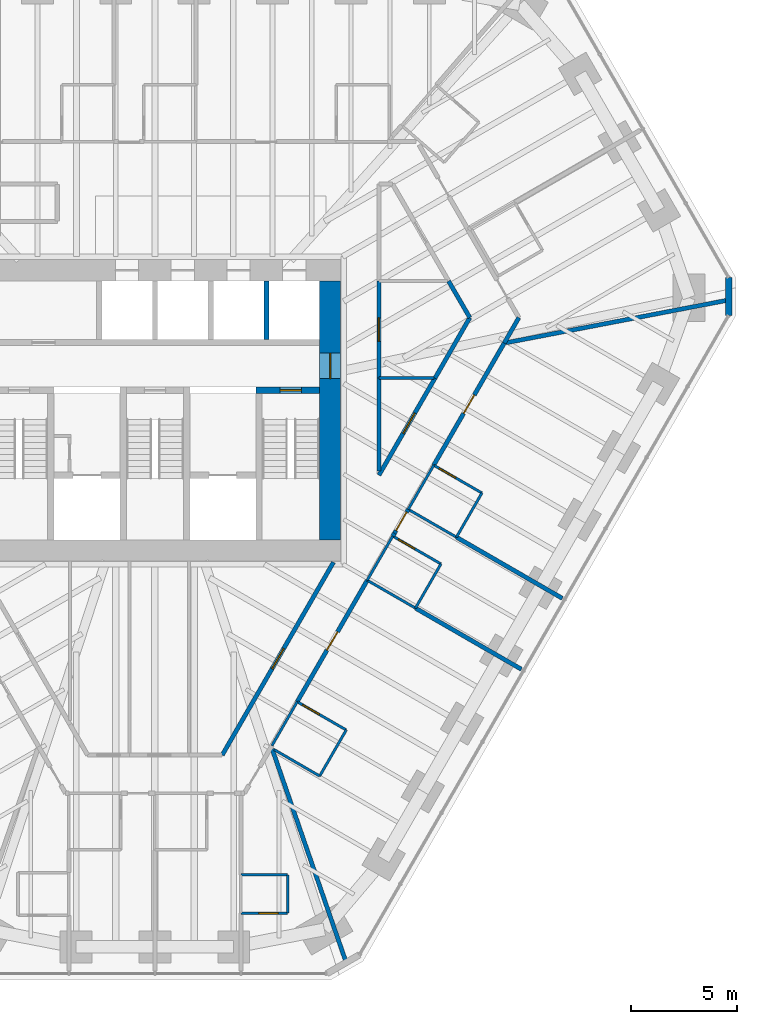
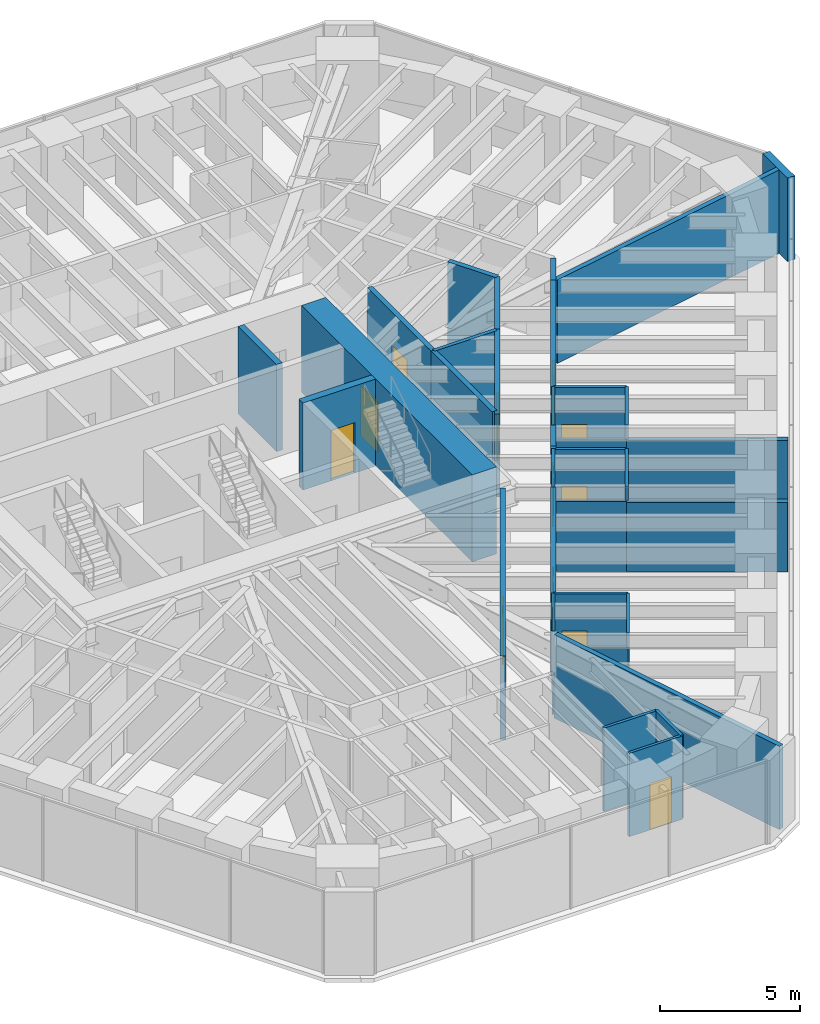
# One storey, part 13 of 16: 35 walls, 12 doors, 12 openings.
"""IFC4 building model written with IfcOpenShell, lengths in metres."""

from ifc_helpers import new_model, si_unit, direction, frame, frame_2d, origin, place, context, subcontext, project, spatial, rectangle, extrude, material, layer, layer_set, type_object, element, fill, save


model = new_model("IFC4")

# Units and contexts
model_context = context("Model", 3, precision=1e-05, world=origin(), true_north=direction((0.0, 1.0)))
body_context = subcontext(model_context, "Body", "Model", "MODEL_VIEW")
ifc_project = project(units=[si_unit("LENGTHUNIT", "METRE"), si_unit("AREAUNIT", "SQUARE_METRE"), si_unit("VOLUMEUNIT", "CUBIC_METRE"), si_unit("PLANEANGLEUNIT", "RADIAN"), si_unit("MASSUNIT", "GRAM", prefix="KILO")], contexts=[model_context])

# Site, building, storey
site_placement = place(None, origin())
site = spatial("IfcSite", under=ifc_project, at=site_placement, CompositionType="ELEMENT")
building_placement = place(site_placement, origin())
building = spatial("IfcBuilding", under=site, at=building_placement, Name="Sandreach Pilgrim Tower", CompositionType="ELEMENT")
storey_placement = place(building_placement, frame((0.0, 0.0, 190.800048828125)))
storey = spatial("IfcBuildingStorey", under=building, at=storey_placement, Name="L47", CompositionType="ELEMENT", Elevation=190.800048828125)

# Wall
ifc_material_1 = material(Name="Gypsum board on steel studs", Category="steel")
ifc_layer_1 = layer(ifc_material_1, 0.14990234375)
ifc_layer_set_1 = layer_set([ifc_layer_1], Name="Back of house wall 150")
wall_type_1 = type_object("IfcWallType", Name="Back of house wall 150", PredefinedType="PARTITIONING", material=ifc_layer_set_1)
wall_1_placement = place(storey_placement, frame((10.550048828125, 1.52001953125, 0.0), z_axis=(0.0, 0.0, 1.0), x_axis=(1.0, 0.0, 0.0)))
element("IfcWall", 1, at=wall_1_placement, inside=storey, type_object=wall_type_1, Name="Back of house wall L47-108", PredefinedType="PARTITIONING", context=body_context, shape_type="SweptSolid", body=[
    extrude(rectangle(XDim=2.5849609375, YDim=0.14990234375, at=frame_2d((1.29248046875, 0.0))), origin(), (0.0, 0.0, 1.0), 3.639892578125),
])

# Wall, opening, door
ifc_material_2 = material(Name="Moisture-resistant gypsum board on steel studs", Category="steel")
ifc_layer_2 = layer(ifc_material_2, 0.1201171875)
ifc_layer_set_2 = layer_set([ifc_layer_2], Name="Bathroom partition 120")
wall_type_2 = type_object("IfcWallType", Name="Bathroom partition 120", PredefinedType="PARTITIONING", material=ifc_layer_set_2)
wall_2_placement = place(storey_placement, frame((4.050048828125, -23.679931640625, 0.0), z_axis=(0.0, 0.0, 1.0), x_axis=(1.0, 0.0, 0.0)))
wall_2 = element("IfcWall", 2, at=wall_2_placement, inside=storey, type_object=wall_type_2, Name="Bathroom partition L47-089", PredefinedType="PARTITIONING", context=body_context, shape_type="SweptSolid", body=[
    extrude(rectangle(XDim=2.199951171875, YDim=0.1201171875, at=frame_2d((1.10009765625, 0.0))), origin(), (0.0, 0.0, 1.0), 3.639892578125),
])
opening_1_placement = place(wall_2_placement, frame((0.85009765625, 0.0, 0.0)))
opening_1 = element("IfcOpeningElement", 3, at=opening_1_placement, cuts=wall_2, Name="Opening D09-09B", PredefinedType="OPENING", context=body_context, shape_type="SweptSolid", body=[
    extrude(rectangle(XDim=0.89990234375, YDim=2.030029296875, at=frame_2d((0.449951171875, 1.01513671875))), frame((0.0, 0.06005859375, 0.0), z_axis=(0.0, -1.0, 0.0), x_axis=(1.0, 0.0, 0.0)), (0.0, 0.0, 1.0), 0.1201171875),
])
ifc_material_3 = material(Name="Timber door, steel frame", Category="steel")
door_type_1 = type_object("IfcDoorType", Name="Bathroom door", OperationType="SINGLE_SWING_LEFT", PredefinedType="DOOR", material=ifc_material_3)
door_1_placement = place(opening_1_placement, origin())
door_1 = element("IfcDoor", 4, at=door_1_placement, inside=storey, type_object=door_type_1, Name="Door 4709B", OperationType="SINGLE_SWING_RIGHT", OverallHeight=2.030029296875, OverallWidth=0.89990234375, PredefinedType="DOOR", context=body_context, shape_type="SweptSolid", body=[
    extrude(rectangle(XDim=0.89990234375, YDim=2.030029296875, at=frame_2d((0.449951171875, 1.01513671875))), frame((0.0, 0.02490234375, 0.0), z_axis=(0.0, -1.0, 0.0), x_axis=(1.0, 0.0, 0.0)), (0.0, 0.0, 1.0), 0.050048828125),
])
fill(opening_1, door_1)

# Walls
wall_3_placement = place(storey_placement, frame((5.510009765625, -15.7900390625, 0.0), z_axis=(0.0, 0.0, 1.0), x_axis=(0.49836161924, 0.866969259241, 0.0)))
element("IfcWall", 5, at=wall_3_placement, inside=storey, type_object=wall_type_2, Name="Bathroom partition L47-093", PredefinedType="PARTITIONING", context=body_context, shape_type="SweptSolid", body=[
    extrude(rectangle(XDim=2.3876953125, YDim=0.1201171875, at=frame_2d((1.19384765625, 0.0))), origin(), (0.0, 0.0, 1.0), 3.639892578125),
])
wall_4_placement = place(storey_placement, frame((5.615234375, -15.97509765625, 0.0), z_axis=(0.0, 0.0, 1.0), x_axis=(0.864873056518, -0.501990633487, 0.0)))
element("IfcWall", 6, at=wall_4_placement, inside=storey, type_object=wall_type_2, Name="Bathroom partition L47-095", PredefinedType="PARTITIONING", context=body_context, shape_type="SweptSolid", body=[
    extrude(rectangle(XDim=2.47998046875, YDim=0.1201171875, at=frame_2d((1.239990234375, 0.0))), origin(), (0.0, 0.0, 1.0), 3.0380859375),
])
wall_5_placement = place(storey_placement, frame((6.25, -23.679931640625, 0.0), z_axis=(0.0, 0.0, 1.0), x_axis=(0.0, 1.0, 0.0)))
element("IfcWall", 7, at=wall_5_placement, inside=storey, type_object=wall_type_2, Name="Bathroom partition L47-096", PredefinedType="PARTITIONING", context=body_context, shape_type="SweptSolid", body=[
    extrude(rectangle(XDim=1.809814453125, YDim=0.1201171875, at=frame_2d((0.90478515625, 0.0))), origin(), (0.0, 0.0, 1.0), 3.639892578125),
])
wall_6_placement = place(storey_placement, frame((6.25, -21.8701171875, 0.0), z_axis=(0.0, 0.0, 1.0), x_axis=(-1.0, 0.0, 0.0)))
element("IfcWall", 8, at=wall_6_placement, inside=storey, type_object=wall_type_2, Name="Bathroom partition L47-097", PredefinedType="PARTITIONING", context=body_context, shape_type="SweptSolid", body=[
    extrude(rectangle(XDim=2.199951171875, YDim=0.1201171875, at=frame_2d((1.10009765625, 0.0))), origin(), (0.0, 0.0, 1.0), 3.639892578125),
])
wall_7_placement = place(storey_placement, frame((7.760009765625, -17.219970703125, 0.0), z_axis=(0.0, 0.0, 1.0), x_axis=(0.499159685399, 0.866510016372, 0.0)))
element("IfcWall", 9, at=wall_7_placement, inside=storey, type_object=wall_type_2, Name="Bathroom partition L47-099", PredefinedType="PARTITIONING", context=body_context, shape_type="SweptSolid", body=[
    extrude(rectangle(XDim=2.504150390625, YDim=0.1201171875, at=frame_2d((1.251953125, 0.0))), origin(), (0.0, 0.0, 1.0), 3.639892578125),
])

# Wall, opening, door
wall_8_placement = place(storey_placement, frame((9.010009765625, -15.050048828125, 0.0), z_axis=(0.0, 0.0, 1.0), x_axis=(-0.866615255992, 0.498976951453, 0.0)))
wall_8 = element("IfcWall", 10, at=wall_8_placement, inside=storey, type_object=wall_type_2, Name="Bathroom partition L47-103", PredefinedType="PARTITIONING", context=body_context, shape_type="SweptSolid", body=[
    extrude(rectangle(XDim=2.66552734375, YDim=0.1201171875, at=frame_2d((1.332763671875, 0.0))), origin(), (0.0, 0.0, 1.0), 3.639892578125),
])
opening_2_placement = place(wall_8_placement, frame((1.465576171875, 0.0, 0.0)))
opening_2 = element("IfcOpeningElement", 11, at=opening_2_placement, cuts=wall_8, Name="Opening D09-08B", PredefinedType="OPENING", context=body_context, shape_type="SweptSolid", body=[
    extrude(rectangle(XDim=0.89990234375, YDim=2.030029296875, at=frame_2d((0.449951171875, 1.01513671875))), frame((0.0, 0.06005859375, 0.0), z_axis=(0.0, -1.0, 0.0), x_axis=(1.0, 0.0, 0.0)), (0.0, 0.0, 1.0), 0.1201171875),
])
door_2_placement = place(opening_2_placement, origin())
door_2 = element("IfcDoor", 12, at=door_2_placement, inside=storey, type_object=door_type_1, Name="Door 4708B", OperationType="SINGLE_SWING_RIGHT", OverallHeight=2.030029296875, OverallWidth=0.89990234375, PredefinedType="DOOR", context=body_context, shape_type="SweptSolid", body=[
    extrude(rectangle(XDim=0.89990234375, YDim=2.030029296875, at=frame_2d((0.449951171875, 1.01513671875))), frame((0.0, 0.02490234375, 0.0), z_axis=(0.0, -1.0, 0.0), x_axis=(1.0, 0.0, 0.0)), (0.0, 0.0, 1.0), 0.050048828125),
])
fill(opening_2, door_2)

# Walls
wall_9_placement = place(storey_placement, frame((9.996337890625, -7.998046875, 0.0), z_axis=(0.0, 0.0, 1.0), x_axis=(0.501188543314, 0.865338109672, 0.0)))
element("IfcWall", 13, at=wall_9_placement, inside=storey, type_object=wall_type_2, Name="Bathroom partition L47-104", PredefinedType="PARTITIONING", context=body_context, shape_type="SweptSolid", body=[
    extrude(rectangle(XDim=2.401611328125, YDim=0.1201171875, at=frame_2d((1.20068359375, 0.0))), origin(), (0.0, 0.0, 1.0), 3.639892578125),
])
wall_10_placement = place(storey_placement, frame((10.0, -8.0, 0.0), z_axis=(0.0, 0.0, 1.0), x_axis=(0.866010296064, -0.500026166427, 0.0)))
element("IfcWall", 14, at=wall_10_placement, inside=storey, type_object=wall_type_2, Name="Bathroom partition L47-105", PredefinedType="PARTITIONING", context=body_context, shape_type="SweptSolid", body=[
    extrude(rectangle(XDim=2.620849609375, YDim=0.1201171875, at=frame_2d((1.310546875, 0.0))), origin(), (0.0, 0.0, 1.0), 3.0380859375),
])
wall_11_placement = place(storey_placement, frame((11.929931640625, -4.659912109375, 0.0), z_axis=(0.0, 0.0, 1.0), x_axis=(0.499737123639, 0.866177122335, 0.0)))
element("IfcWall", 15, at=wall_11_placement, inside=storey, type_object=wall_type_2, Name="Bathroom partition L47-121", PredefinedType="PARTITIONING", context=body_context, shape_type="SweptSolid", body=[
    extrude(rectangle(XDim=2.401123046875, YDim=0.1201171875, at=frame_2d((1.20068359375, 0.0))), origin(), (0.0, 0.0, 1.0), 3.639892578125),
])
wall_12_placement = place(storey_placement, frame((11.929931640625, -4.659912109375, 0.0), z_axis=(0.0, 0.0, 1.0), x_axis=(0.865969958829, -0.500096021185, 0.0)))
element("IfcWall", 16, at=wall_12_placement, inside=storey, type_object=wall_type_2, Name="Bathroom partition L47-122", PredefinedType="PARTITIONING", context=body_context, shape_type="SweptSolid", body=[
    extrude(rectangle(XDim=2.62109375, YDim=0.1201171875, at=frame_2d((1.310546875, 0.0))), origin(), (0.0, 0.0, 1.0), 3.0380859375),
])
wall_13_placement = place(storey_placement, frame((12.27001953125, -9.31005859375, 0.0), z_axis=(0.0, 0.0, 1.0), x_axis=(0.499693115345, 0.866202511239, 0.0)))
element("IfcWall", 17, at=wall_13_placement, inside=storey, type_object=wall_type_2, Name="Bathroom partition L47-124", PredefinedType="PARTITIONING", context=body_context, shape_type="SweptSolid", body=[
    extrude(rectangle(XDim=2.4013671875, YDim=0.1201171875, at=frame_2d((1.20068359375, 0.0))), origin(), (0.0, 0.0, 1.0), 3.639892578125),
])

# Wall, opening, door
wall_14_placement = place(storey_placement, frame((13.469970703125, -7.22998046875, 0.0), z_axis=(0.0, 0.0, 1.0), x_axis=(-0.866114241029, 0.499846097802, 0.0)))
wall_14 = element("IfcWall", 18, at=wall_14_placement, inside=storey, type_object=wall_type_2, Name="Bathroom partition L47-129", PredefinedType="PARTITIONING", context=body_context, shape_type="SweptSolid", body=[
    extrude(rectangle(XDim=2.620849609375, YDim=0.1201171875, at=frame_2d((1.310546875, 0.0))), origin(), (0.0, 0.0, 1.0), 3.639892578125),
])
opening_3_placement = place(wall_14_placement, frame((1.4208984375, 0.0, 0.0)))
opening_3 = element("IfcOpeningElement", 19, at=opening_3_placement, cuts=wall_14, Name="Opening D09-07B", PredefinedType="OPENING", context=body_context, shape_type="SweptSolid", body=[
    extrude(rectangle(XDim=0.89990234375, YDim=2.030029296875, at=frame_2d((0.449951171875, 1.01513671875))), frame((0.0, 0.06005859375, 0.0), z_axis=(0.0, -1.0, 0.0), x_axis=(1.0, 0.0, 0.0)), (0.0, 0.0, 1.0), 0.1201171875),
])
door_3_placement = place(opening_3_placement, origin())
door_3 = element("IfcDoor", 20, at=door_3_placement, inside=storey, type_object=door_type_1, Name="Door 4707B", OperationType="SINGLE_SWING_RIGHT", OverallHeight=2.030029296875, OverallWidth=0.89990234375, PredefinedType="DOOR", context=body_context, shape_type="SweptSolid", body=[
    extrude(rectangle(XDim=0.89990234375, YDim=2.030029296875, at=frame_2d((0.449951171875, 1.01513671875))), frame((0.0, 0.02490234375, 0.0), z_axis=(0.0, -1.0, 0.0), x_axis=(1.0, 0.0, 0.0)), (0.0, 0.0, 1.0), 0.050048828125),
])
fill(opening_3, door_3)

# Wall
wall_15_placement = place(storey_placement, frame((14.199951171875, -5.969970703125, 0.0), z_axis=(0.0, 0.0, 1.0), x_axis=(0.499737123639, 0.866177122335, 0.0)))
element("IfcWall", 21, at=wall_15_placement, inside=storey, type_object=wall_type_2, Name="Bathroom partition L47-134", PredefinedType="PARTITIONING", context=body_context, shape_type="SweptSolid", body=[
    extrude(rectangle(XDim=2.401123046875, YDim=0.1201171875, at=frame_2d((1.20068359375, 0.0))), origin(), (0.0, 0.0, 1.0), 3.639892578125),
])

# Wall, opening, door
wall_16_placement = place(storey_placement, frame((15.39990234375, -3.889892578125, 0.0), z_axis=(0.0, 0.0, 1.0), x_axis=(-0.866154567199, 0.49977621564, 0.0)))
wall_16 = element("IfcWall", 22, at=wall_16_placement, inside=storey, type_object=wall_type_2, Name="Bathroom partition L47-140", PredefinedType="PARTITIONING", context=body_context, shape_type="SweptSolid", body=[
    extrude(rectangle(XDim=2.620849609375, YDim=0.1201171875, at=frame_2d((1.310546875, 0.0))), origin(), (0.0, 0.0, 1.0), 3.639892578125),
])
opening_4_placement = place(wall_16_placement, frame((1.4208984375, 0.0, 0.0)))
opening_4 = element("IfcOpeningElement", 23, at=opening_4_placement, cuts=wall_16, Name="Opening D09-06B", PredefinedType="OPENING", context=body_context, shape_type="SweptSolid", body=[
    extrude(rectangle(XDim=0.89990234375, YDim=2.030029296875, at=frame_2d((0.449951171875, 1.01513671875))), frame((0.0, 0.06005859375, 0.0), z_axis=(0.0, -1.0, 0.0), x_axis=(1.0, 0.0, 0.0)), (0.0, 0.0, 1.0), 0.1201171875),
])
door_4_placement = place(opening_4_placement, origin())
door_4 = element("IfcDoor", 24, at=door_4_placement, inside=storey, type_object=door_type_1, Name="Door 4706B", OperationType="SINGLE_SWING_RIGHT", OverallHeight=2.030029296875, OverallWidth=0.89990234375, PredefinedType="DOOR", context=body_context, shape_type="SweptSolid", body=[
    extrude(rectangle(XDim=0.89990234375, YDim=2.030029296875, at=frame_2d((0.449951171875, 1.01513671875))), frame((0.0, 0.02490234375, 0.0), z_axis=(0.0, -1.0, 0.0), x_axis=(1.0, 0.0, 0.0)), (0.0, 0.0, 1.0), 0.050048828125),
])
fill(opening_4, door_4)

ifc_material_4 = material(Name="Concrete 10000 psi", Category="concrete")
ifc_layer_3 = layer(ifc_material_4, 0.300048828125)
ifc_layer_set_3 = layer_set([ifc_layer_3], Name="Core inner wall 300")
wall_type_3 = type_object("IfcWallType", Name="Core inner wall 300", PredefinedType="SHEAR", material=ifc_layer_set_3)
wall_17_placement = place(storey_placement, frame((4.75, 0.949951171875, 0.0), z_axis=(0.0, 0.0, 1.0), x_axis=(1.0, 0.0, 0.0)))
wall_17 = element("IfcWall", 25, at=wall_17_placement, inside=storey, type_object=wall_type_3, Name="Core wall SN2 L47", PredefinedType="SHEAR", context=body_context, shape_type="SweptSolid", body=[
    extrude(rectangle(XDim=3.0, YDim=0.300048828125, at=frame_2d((1.5, 0.0))), origin(), (0.0, 0.0, 1.0), 3.800048828125),
])
opening_5_placement = place(wall_17_placement, frame((1.14990234375, 0.0, 0.0)))
opening_5 = element("IfcOpeningElement", 26, at=opening_5_placement, cuts=wall_17, Name="Opening D10S-ST2", PredefinedType="OPENING", context=body_context, shape_type="SweptSolid", body=[
    extrude(rectangle(XDim=1.0, YDim=2.199951171875, at=frame_2d((0.5, 1.10009765625))), frame((0.0, 0.14990234375, 0.0), z_axis=(0.0, -1.0, 0.0), x_axis=(1.0, 0.0, 0.0)), (0.0, 0.0, 1.0), 0.300048828125),
])
ifc_material_5 = material(Name="Steel door and frame", Category="steel")
door_type_2 = type_object("IfcDoorType", Name="Stair door", OperationType="SINGLE_SWING_LEFT", PredefinedType="DOOR", material=ifc_material_5)
door_5_placement = place(opening_5_placement, origin())
door_5 = element("IfcDoor", 27, at=door_5_placement, inside=storey, type_object=door_type_2, Name="Stair door ST2 L47", OperationType="SINGLE_SWING_RIGHT", OverallHeight=2.199951171875, OverallWidth=1.0, PredefinedType="DOOR", context=body_context, shape_type="SweptSolid", body=[
    extrude(rectangle(XDim=1.0, YDim=2.199951171875, at=frame_2d((0.5, 1.10009765625))), frame((0.0, 0.02490234375, 0.0), z_axis=(0.0, -1.0, 0.0), x_axis=(1.0, 0.0, 0.0)), (0.0, 0.0, 1.0), 0.050048828125),
])
fill(opening_5, door_5)

ifc_material_6 = material(Name="Concrete 10000 psi", Category="concrete")
ifc_layer_4 = layer(ifc_material_6, 1.0)
ifc_layer_set_4 = layer_set([ifc_layer_4], Name="Core wall 1000")
wall_type_4 = type_object("IfcWallType", Name="Core wall 1000", PredefinedType="SHEAR", material=ifc_layer_set_4)
wall_18_placement = place(storey_placement, frame((8.25, -6.10009765625, 0.0), z_axis=(0.0, 0.0, 1.0), x_axis=(0.0, 1.0, 0.0)))
wall_18 = element("IfcWall", 28, at=wall_18_placement, inside=storey, type_object=wall_type_4, Name="Core wall E L47", PredefinedType="SHEAR", context=body_context, shape_type="SweptSolid", body=[
    extrude(rectangle(XDim=12.2001953125, YDim=1.0, at=frame_2d((6.10009765625, 0.0))), origin(), (0.0, 0.0, 1.0), 3.800048828125),
])
opening_6_placement = place(wall_18_placement, frame((7.60009765625, 0.0, 0.0)))
opening_6 = element("IfcOpeningElement", 29, at=opening_6_placement, cuts=wall_18, Name="Opening D12F-E", PredefinedType="OPENING", context=body_context, shape_type="SweptSolid", body=[
    extrude(rectangle(XDim=1.199951171875, YDim=2.199951171875, at=frame_2d((0.60009765625, 1.10009765625))), frame((0.0, 0.5, 0.0), z_axis=(0.0, -1.0, 0.0), x_axis=(1.0, 0.0, 0.0)), (0.0, 0.0, 1.0), 1.0),
])
ifc_material_7 = material(Name="Steel door and frame", Category="steel")
door_type_3 = type_object("IfcDoorType", Name="Fire lobby door", OperationType="SINGLE_SWING_LEFT", PredefinedType="DOOR", material=ifc_material_7)
door_6_placement = place(opening_6_placement, origin())
door_6 = element("IfcDoor", 30, at=door_6_placement, inside=storey, type_object=door_type_3, Name="Fire service lobby door E L47", OperationType="SINGLE_SWING_RIGHT", OverallHeight=2.199951171875, OverallWidth=1.199951171875, PredefinedType="DOOR", context=body_context, shape_type="SweptSolid", body=[
    extrude(rectangle(XDim=1.199951171875, YDim=2.199951171875, at=frame_2d((0.60009765625, 1.10009765625))), frame((0.0, 0.02490234375, 0.0), z_axis=(0.0, -1.0, 0.0), x_axis=(1.0, 0.0, 0.0)), (0.0, 0.0, 1.0), 0.050048828125),
])
fill(opening_6, door_6)

ifc_material_8 = material(Name="Gypsum board on steel studs, two layers each side", Category="steel")
ifc_layer_5 = layer(ifc_material_8, 0.199951171875)
ifc_layer_set_5 = layer_set([ifc_layer_5], Name="Corridor wall 200")
wall_type_5 = type_object("IfcWallType", Name="Corridor wall 200", PredefinedType="PARTITIONING", material=ifc_layer_set_5)
wall_19_placement = place(storey_placement, frame((6.699951171875, -13.719970703125, 0.0), z_axis=(0.0, 0.0, 1.0), x_axis=(0.499729921425, 0.866181277581, 0.0)))
wall_19 = element("IfcWall", 31, at=wall_19_placement, inside=storey, type_object=wall_type_5, Name="Corridor wall L47-098", PredefinedType="PARTITIONING", context=body_context, shape_type="SweptSolid", body=[
    extrude(rectangle(XDim=6.603759765625, YDim=0.199951171875, at=frame_2d((3.3017578125, 0.0))), origin(), (0.0, 0.0, 1.0), 3.639892578125),
])
opening_7_placement = place(wall_19_placement, frame((2.8017578125, 0.0, 0.0)))
opening_7 = element("IfcOpeningElement", 32, at=opening_7_placement, cuts=wall_19, Name="Opening D10-08", PredefinedType="OPENING", context=body_context, shape_type="SweptSolid", body=[
    extrude(rectangle(XDim=1.0, YDim=2.1298828125, at=frame_2d((0.5, 1.06494140625))), frame((0.0, 0.10009765625, 0.0), z_axis=(0.0, -1.0, 0.0), x_axis=(1.0, 0.0, 0.0)), (0.0, 0.0, 1.0), 0.199951171875),
])
ifc_material_9 = material(Name="Steel door and frame", Category="steel")
door_type_4 = type_object("IfcDoorType", Name="Guest room entry door", OperationType="SINGLE_SWING_LEFT", PredefinedType="DOOR", material=ifc_material_9)
door_7_placement = place(opening_7_placement, origin())
door_7 = element("IfcDoor", 33, at=door_7_placement, inside=storey, type_object=door_type_4, Name="Door 4708", OperationType="SINGLE_SWING_LEFT", OverallHeight=2.1298828125, OverallWidth=1.0, PredefinedType="DOOR", context=body_context, shape_type="SweptSolid", body=[
    extrude(rectangle(XDim=1.0, YDim=2.1298828125, at=frame_2d((0.5, 1.06494140625))), frame((0.0, 0.02490234375, 0.0), z_axis=(0.0, -1.0, 0.0), x_axis=(1.0, 0.0, 0.0)), (0.0, 0.0, 1.0), 0.050048828125),
])
fill(opening_7, door_7)

wall_20_placement = place(storey_placement, frame((8.409912109375, -7.14990234375, 0.0), z_axis=(0.0, 0.0, 1.0), x_axis=(-0.499828628176, -0.866124322748, 0.0)))
wall_20 = element("IfcWall", 34, at=wall_20_placement, inside=storey, type_object=wall_type_5, Name="Corridor wall L47-100", PredefinedType="PARTITIONING", context=body_context, shape_type="SweptSolid", body=[
    extrude(rectangle(XDim=10.483642578125, YDim=0.199951171875, at=frame_2d((5.24169921875, 0.0))), origin(), (0.0, 0.0, 1.0), 3.639892578125),
])
opening_8_placement = place(wall_20_placement, frame((4.691650390625, 0.0, 0.0)))
opening_8 = element("IfcOpeningElement", 35, at=opening_8_placement, cuts=wall_20, Name="Opening D11H-S4", PredefinedType="OPENING", context=body_context, shape_type="SweptSolid", body=[
    extrude(rectangle(XDim=1.10009765625, YDim=2.199951171875, at=frame_2d((0.550048828125, 1.10009765625))), frame((0.0, 0.10009765625, 0.0), z_axis=(0.0, -1.0, 0.0), x_axis=(1.0, 0.0, 0.0)), (0.0, 0.0, 1.0), 0.199951171875),
])
ifc_material_10 = material(Name="Steel door and frame", Category="steel")
door_type_5 = type_object("IfcDoorType", Name="Back of house door", OperationType="SINGLE_SWING_LEFT", PredefinedType="DOOR", material=ifc_material_10)
door_8_placement = place(opening_8_placement, origin())
door_8 = element("IfcDoor", 36, at=door_8_placement, inside=storey, type_object=door_type_5, Name="Door 47S4", OperationType="SINGLE_SWING_LEFT", OverallHeight=2.199951171875, OverallWidth=1.10009765625, PredefinedType="DOOR", context=body_context, shape_type="SweptSolid", body=[
    extrude(rectangle(XDim=1.10009765625, YDim=2.199951171875, at=frame_2d((0.550048828125, 1.10009765625))), frame((0.0, 0.02490234375, 0.0), z_axis=(0.0, -1.0, 0.0), x_axis=(1.0, 0.0, 0.0)), (0.0, 0.0, 1.0), 0.050048828125),
])
fill(opening_8, door_8)

# Wall
wall_21_placement = place(storey_placement, frame((10.550048828125, -2.85498046875, 0.0), z_axis=(0.0, 0.0, 1.0), x_axis=(0.0, 1.0, 0.0)))
element("IfcWall", 37, at=wall_21_placement, inside=storey, type_object=wall_type_5, Name="Corridor wall L47-106", PredefinedType="PARTITIONING", context=body_context, shape_type="SweptSolid", body=[
    extrude(rectangle(XDim=4.375, YDim=0.199951171875, at=frame_2d((2.1875, 0.0))), origin(), (0.0, 0.0, 1.0), 3.639892578125),
])

# Wall, opening, door
wall_22_placement = place(storey_placement, frame((10.550048828125, 1.52001953125, 0.0), z_axis=(0.0, 0.0, 1.0), x_axis=(0.0, 1.0, 0.0)))
wall_22 = element("IfcWall", 38, at=wall_22_placement, inside=storey, type_object=wall_type_5, Name="Corridor wall L47-107", PredefinedType="PARTITIONING", context=body_context, shape_type="SweptSolid", body=[
    extrude(rectangle(XDim=4.570068359375, YDim=0.199951171875, at=frame_2d((2.28515625, 0.0))), origin(), (0.0, 0.0, 1.0), 3.639892578125),
])
opening_9_placement = place(wall_22_placement, frame((1.735107421875, 0.0, 0.0)))
opening_9 = element("IfcOpeningElement", 39, at=opening_9_placement, cuts=wall_22, Name="Opening D11H-M06", PredefinedType="OPENING", context=body_context, shape_type="SweptSolid", body=[
    extrude(rectangle(XDim=1.10009765625, YDim=2.199951171875, at=frame_2d((0.550048828125, 1.10009765625))), frame((0.0, 0.10009765625, 0.0), z_axis=(0.0, -1.0, 0.0), x_axis=(1.0, 0.0, 0.0)), (0.0, 0.0, 1.0), 0.199951171875),
])
door_9_placement = place(opening_9_placement, origin())
door_9 = element("IfcDoor", 40, at=door_9_placement, inside=storey, type_object=door_type_5, Name="Door 47M06", OperationType="SINGLE_SWING_LEFT", OverallHeight=2.199951171875, OverallWidth=1.10009765625, PredefinedType="DOOR", context=body_context, shape_type="SweptSolid", body=[
    extrude(rectangle(XDim=1.10009765625, YDim=2.199951171875, at=frame_2d((0.550048828125, 1.10009765625))), frame((0.0, 0.02490234375, 0.0), z_axis=(0.0, -1.0, 0.0), x_axis=(1.0, 0.0, 0.0)), (0.0, 0.0, 1.0), 0.050048828125),
])
fill(opening_9, door_9)

# Wall
wall_23_placement = place(storey_placement, frame((11.199951171875, -5.919921875, 0.0), z_axis=(0.0, 0.0, 1.0), x_axis=(0.524811420021, 0.851218522717, 0.0)))
element("IfcWall", 41, at=wall_23_placement, inside=storey, type_object=wall_type_5, Name="Corridor wall L47-117", PredefinedType="PARTITIONING", context=body_context, shape_type="SweptSolid", body=[
    extrude(rectangle(XDim=0.152587890625, YDim=0.199951171875, at=frame_2d((0.076171875, 0.0))), origin(), (0.0, 0.0, 1.0), 3.639892578125),
])

# Wall, opening, door
wall_24_placement = place(storey_placement, frame((11.280029296875, -5.7900390625, 0.0), z_axis=(0.0, 0.0, 1.0), x_axis=(0.498516863914, 0.866880001149, 0.0)))
wall_24 = element("IfcWall", 42, at=wall_24_placement, inside=storey, type_object=wall_type_5, Name="Corridor wall L47-118", PredefinedType="PARTITIONING", context=body_context, shape_type="SweptSolid", body=[
    extrude(rectangle(XDim=1.3037109375, YDim=0.199951171875, at=frame_2d((0.65185546875, 0.0))), origin(), (0.0, 0.0, 1.0), 3.639892578125),
])
opening_10_placement = place(wall_24_placement, frame((0.15185546875, 0.0, 0.0)))
opening_10 = element("IfcOpeningElement", 43, at=opening_10_placement, cuts=wall_24, Name="Opening D10-07", PredefinedType="OPENING", context=body_context, shape_type="SweptSolid", body=[
    extrude(rectangle(XDim=1.0, YDim=2.1298828125, at=frame_2d((0.5, 1.06494140625))), frame((0.0, 0.10009765625, 0.0), z_axis=(0.0, -1.0, 0.0), x_axis=(1.0, 0.0, 0.0)), (0.0, 0.0, 1.0), 0.199951171875),
])
door_10_placement = place(opening_10_placement, origin())
door_10 = element("IfcDoor", 44, at=door_10_placement, inside=storey, type_object=door_type_4, Name="Door 4707", OperationType="SINGLE_SWING_LEFT", OverallHeight=2.1298828125, OverallWidth=1.0, PredefinedType="DOOR", context=body_context, shape_type="SweptSolid", body=[
    extrude(rectangle(XDim=1.0, YDim=2.1298828125, at=frame_2d((0.5, 1.06494140625))), frame((0.0, 0.02490234375, 0.0), z_axis=(0.0, -1.0, 0.0), x_axis=(1.0, 0.0, 0.0)), (0.0, 0.0, 1.0), 0.050048828125),
])
fill(opening_10, door_10)

wall_25_placement = place(storey_placement, frame((13.1298828125, -2.580078125, 0.0), z_axis=(0.0, 0.0, 1.0), x_axis=(0.500034373799, 0.866005557153, 0.0)))
wall_25 = element("IfcWall", 45, at=wall_25_placement, inside=storey, type_object=wall_type_5, Name="Corridor wall L47-127", PredefinedType="PARTITIONING", context=body_context, shape_type="SweptSolid", body=[
    extrude(rectangle(XDim=6.6396484375, YDim=0.199951171875, at=frame_2d((3.31982421875, 0.0))), origin(), (0.0, 0.0, 1.0), 3.639892578125),
])
opening_11_placement = place(wall_25_placement, frame((2.81982421875, 0.0, 0.0)))
opening_11 = element("IfcOpeningElement", 46, at=opening_11_placement, cuts=wall_25, Name="Opening D10-06", PredefinedType="OPENING", context=body_context, shape_type="SweptSolid", body=[
    extrude(rectangle(XDim=1.0, YDim=2.1298828125, at=frame_2d((0.5, 1.06494140625))), frame((0.0, 0.10009765625, 0.0), z_axis=(0.0, -1.0, 0.0), x_axis=(1.0, 0.0, 0.0)), (0.0, 0.0, 1.0), 0.199951171875),
])
door_11_placement = place(opening_11_placement, origin())
door_11 = element("IfcDoor", 47, at=door_11_placement, inside=storey, type_object=door_type_4, Name="Door 4706", OperationType="SINGLE_SWING_LEFT", OverallHeight=2.1298828125, OverallWidth=1.0, PredefinedType="DOOR", context=body_context, shape_type="SweptSolid", body=[
    extrude(rectangle(XDim=1.0, YDim=2.1298828125, at=frame_2d((0.5, 1.06494140625))), frame((0.0, 0.02490234375, 0.0), z_axis=(0.0, -1.0, 0.0), x_axis=(1.0, 0.0, 0.0)), (0.0, 0.0, 1.0), 0.050048828125),
])
fill(opening_11, door_11)

wall_26_placement = place(storey_placement, frame((13.18994140625, 1.52001953125, 0.0), z_axis=(0.0, 0.0, 1.0), x_axis=(-0.500193590286, -0.865913605527, 0.0)))
wall_26 = element("IfcWall", 48, at=wall_26_placement, inside=storey, type_object=wall_type_5, Name="Corridor wall L47-128", PredefinedType="PARTITIONING", context=body_context, shape_type="SweptSolid", body=[
    extrude(rectangle(XDim=5.27783203125, YDim=0.199951171875, at=frame_2d((2.638916015625, 0.0))), origin(), (0.0, 0.0, 1.0), 3.639892578125),
])
opening_12_placement = place(wall_26_placement, frame((1.89990234375, 0.0, 0.0)))
opening_12 = element("IfcOpeningElement", 49, at=opening_12_placement, cuts=wall_26, Name="Opening D11H-M04", PredefinedType="OPENING", context=body_context, shape_type="SweptSolid", body=[
    extrude(rectangle(XDim=1.10009765625, YDim=2.199951171875, at=frame_2d((0.550048828125, 1.10009765625))), frame((0.0, 0.10009765625, 0.0), z_axis=(0.0, -1.0, 0.0), x_axis=(1.0, 0.0, 0.0)), (0.0, 0.0, 1.0), 0.199951171875),
])
door_12_placement = place(opening_12_placement, origin())
door_12 = element("IfcDoor", 50, at=door_12_placement, inside=storey, type_object=door_type_5, Name="Door 47M04", OperationType="SINGLE_SWING_LEFT", OverallHeight=2.199951171875, OverallWidth=1.10009765625, PredefinedType="DOOR", context=body_context, shape_type="SweptSolid", body=[
    extrude(rectangle(XDim=1.10009765625, YDim=2.199951171875, at=frame_2d((0.550048828125, 1.10009765625))), frame((0.0, 0.02490234375, 0.0), z_axis=(0.0, -1.0, 0.0), x_axis=(1.0, 0.0, 0.0)), (0.0, 0.0, 1.0), 0.050048828125),
])
fill(opening_12, door_12)

# Walls
wall_27_placement = place(storey_placement, frame((13.830078125, 6.090087890625, 0.0), z_axis=(0.0, 0.0, 1.0), x_axis=(0.502573539539, -0.864534462792, 0.0)))
element("IfcWall", 51, at=wall_27_placement, inside=storey, type_object=wall_type_5, Name="Corridor wall L47-132", PredefinedType="PARTITIONING", context=body_context, shape_type="SweptSolid", body=[
    extrude(rectangle(XDim=1.98974609375, YDim=0.199951171875, at=frame_2d((0.994873046875, 0.0))), origin(), (0.0, 0.0, 1.0), 3.639892578125),
])
wall_28_placement = place(storey_placement, frame((14.830078125, 4.3701171875, 0.0), z_axis=(0.0, 0.0, 1.0), x_axis=(-0.498775186059, -0.866731396554, 0.0)))
element("IfcWall", 52, at=wall_28_placement, inside=storey, type_object=wall_type_5, Name="Corridor wall L47-136", PredefinedType="PARTITIONING", context=body_context, shape_type="SweptSolid", body=[
    extrude(rectangle(XDim=3.288330078125, YDim=0.199951171875, at=frame_2d((1.64404296875, 0.0))), origin(), (0.0, 0.0, 1.0), 3.639892578125),
])
wall_29_placement = place(storey_placement, frame((16.449951171875, 3.169921875, 0.0), z_axis=(0.0, 0.0, 1.0), x_axis=(0.49845455473, 0.866915830325, 0.0)))
element("IfcWall", 53, at=wall_29_placement, inside=storey, type_object=wall_type_5, Name="Corridor wall L47-142", PredefinedType="PARTITIONING", context=body_context, shape_type="SweptSolid", body=[
    extrude(rectangle(XDim=1.38427734375, YDim=0.199951171875, at=frame_2d((0.692138671875, 0.0))), origin(), (0.0, 0.0, 1.0), 3.639892578125),
])
ifc_material_11 = material(Name="Double steel stud acoustic wall, gypsum board", Category="steel")
ifc_layer_6 = layer(ifc_material_11, 0.199951171875)
ifc_layer_set_6 = layer_set([ifc_layer_6], Name="Party wall 200")
wall_type_6 = type_object("IfcWallType", Name="Party wall 200", PredefinedType="PARTITIONING", material=ifc_layer_set_6)
wall_30_placement = place(storey_placement, frame((5.52197265625, -15.950927734375, 0.0), z_axis=(0.0, 0.0, 1.0), x_axis=(0.327588517074, -0.944820492729, 0.0)))
element("IfcWall", 54, at=wall_30_placement, inside=storey, type_object=wall_type_6, Name="Party wall L47-094", PredefinedType="PARTITIONING", context=body_context, shape_type="SweptSolid", body=[
    extrude(rectangle(XDim=10.6484375, YDim=0.199951171875, at=frame_2d((5.32421875, 0.0))), origin(), (0.0, 0.0, 1.0), 3.639892578125),
])
wall_31_placement = place(storey_placement, frame((12.269775390625, -9.310546875, 0.0), z_axis=(0.0, 0.0, 1.0), x_axis=(0.865985044037, -0.500069898618, 0.0)))
element("IfcWall", 55, at=wall_31_placement, inside=storey, type_object=wall_type_6, Name="Party wall L47-123", PredefinedType="PARTITIONING", context=body_context, shape_type="SweptSolid", body=[
    extrude(rectangle(XDim=5.758056640625, YDim=0.199951171875, at=frame_2d((2.87890625, 0.0))), origin(), (0.0, 0.0, 1.0), 3.0380859375),
])
wall_32_placement = place(storey_placement, frame((14.19970703125, -5.970703125, 0.0), z_axis=(0.0, 0.0, 1.0), x_axis=(0.86600340545, -0.500038100297, 0.0)))
element("IfcWall", 56, at=wall_32_placement, inside=storey, type_object=wall_type_6, Name="Party wall L47-133", PredefinedType="PARTITIONING", context=body_context, shape_type="SweptSolid", body=[
    extrude(rectangle(XDim=5.7578125, YDim=0.199951171875, at=frame_2d((2.87890625, 0.0))), origin(), (0.0, 0.0, 1.0), 3.0380859375),
])
wall_33_placement = place(storey_placement, frame((27.04052734375, 5.204345703125, 0.0), z_axis=(0.0, 0.0, 1.0), x_axis=(-0.982047984466, -0.188631270488, 0.0)))
element("IfcWall", 57, at=wall_33_placement, inside=storey, type_object=wall_type_6, Name="Party wall L47-147", PredefinedType="PARTITIONING", context=body_context, shape_type="SweptSolid", body=[
    extrude(rectangle(XDim=10.684326171875, YDim=0.199951171875, at=frame_2d((5.34228515625, 0.0))), origin(), (0.0, 0.0, 1.0), 3.639892578125),
])
ifc_material_12 = material(Name="Gypsum shaft wall on steel studs, two layers of shaft liner board", Category="steel")
ifc_layer_7 = layer(ifc_material_12, 0.25)
ifc_layer_set_7 = layer_set([ifc_layer_7], Name="Shaft partition 250")
wall_type_7 = type_object("IfcWallType", Name="Shaft partition 250", PredefinedType="PARTITIONING", material=ifc_layer_set_7)
wall_34_placement = place(storey_placement, frame((5.25, 3.35009765625, 0.0), z_axis=(0.0, 0.0, 1.0), x_axis=(0.0, 1.0, 0.0)))
element("IfcWall", 58, at=wall_34_placement, inside=storey, type_object=wall_type_7, Name="Shaft partition NS4 L47", PredefinedType="PARTITIONING", context=body_context, shape_type="SweptSolid", body=[
    extrude(rectangle(XDim=2.75, YDim=0.25, at=frame_2d((1.375, 0.0))), origin(), (0.0, 0.0, 1.0), 3.800048828125),
])
ifc_material_13 = material(Name="Terracotta rainscreen on concrete", Category="masonry")
ifc_layer_8 = layer(ifc_material_13, 0.300048828125)
ifc_layer_set_8 = layer_set([ifc_layer_8], Name="Terracotta chamfer pier")
wall_type_8 = type_object("IfcWallType", Name="Terracotta chamfer pier", PredefinedType="SOLIDWALL", material=ifc_layer_set_8)
wall_35_placement = place(storey_placement, frame((27.02001953125, 6.25, 0.0), z_axis=(0.0, 0.0, 1.0), x_axis=(0.0, -1.0, 0.0)))
element("IfcWall", 59, at=wall_35_placement, inside=storey, type_object=wall_type_8, Name="Chamfer pier L47 NE", PredefinedType="SOLIDWALL", context=body_context, shape_type="SweptSolid", body=[
    extrude(rectangle(XDim=1.77001953125, YDim=0.300048828125, at=frame_2d((0.885009765625, 0.0))), origin(), (0.0, 0.0, 1.0), 3.639892578125),
])

save(model, "model.ifc")
